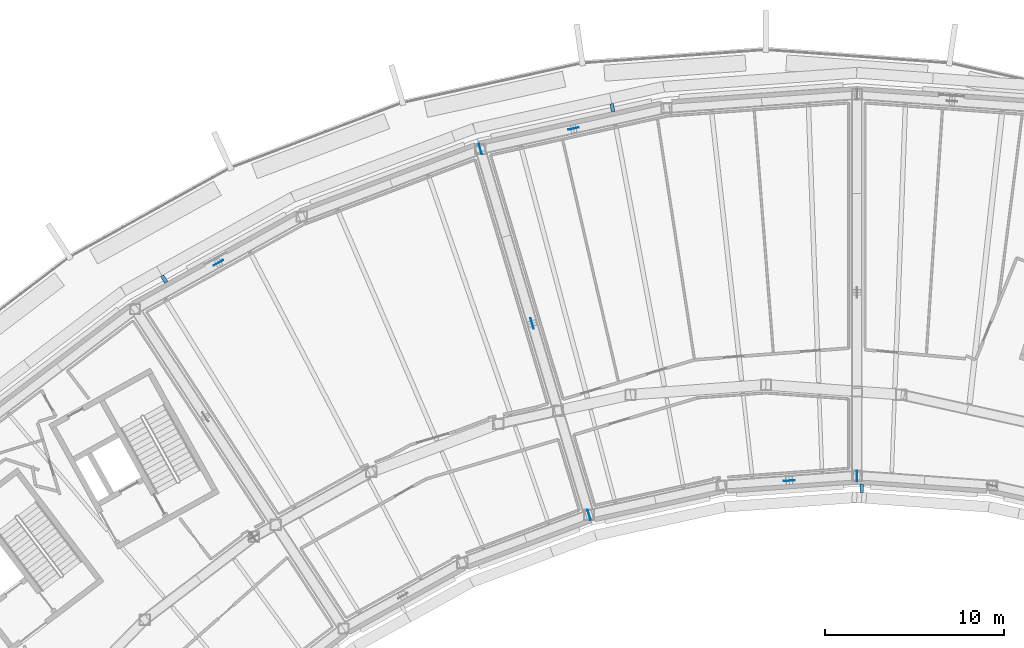
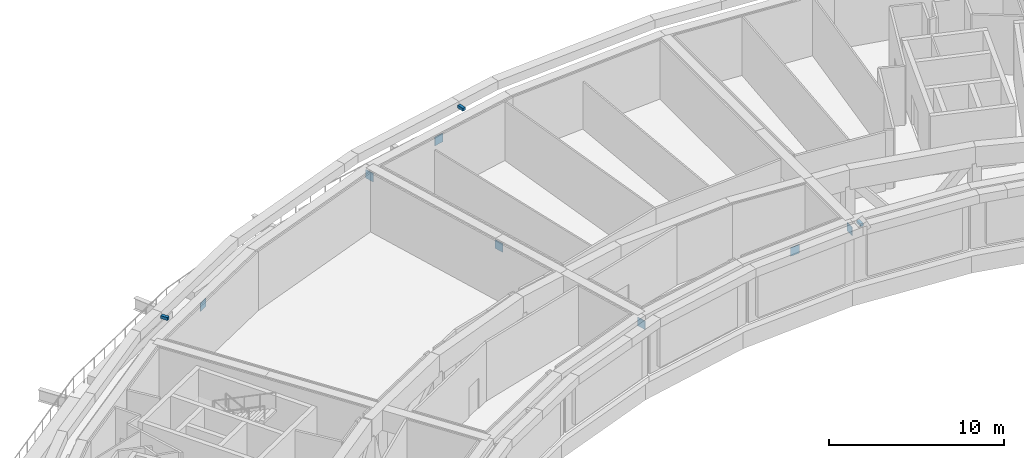
# One storey, part 16 of 24: 10 discrete accessories.
"""IFC4 building model written with IfcOpenShell, lengths in metres."""

from ifc_helpers import new_model, si_unit, direction, frame, origin, origin_2d, place, context, subcontext, project, spatial, rectangle, extrude, material, type_object, element, save


model = new_model("IFC4")

# Units and contexts
model_context = context("Model", 3, precision=1e-05, world=origin(), true_north=direction((0.0, 1.0)))
body_context = subcontext(model_context, "Body", "Model", "MODEL_VIEW")
ifc_project = project(units=[si_unit("LENGTHUNIT", "METRE"), si_unit("AREAUNIT", "SQUARE_METRE"), si_unit("VOLUMEUNIT", "CUBIC_METRE"), si_unit("PLANEANGLEUNIT", "RADIAN"), si_unit("MASSUNIT", "GRAM", prefix="KILO")], contexts=[model_context])

# Site, building, storey
site_placement = place(None, origin())
site = spatial("IfcSite", under=ifc_project, at=site_placement, CompositionType="ELEMENT")
building_placement = place(site_placement, origin())
building = spatial("IfcBuilding", under=site, at=building_placement, Name="Tuul Gate Civic Tower", CompositionType="ELEMENT")
storey_placement = place(building_placement, frame((0.0, 0.0, 243.89990234375)))
storey = spatial("IfcBuildingStorey", under=building, at=storey_placement, Name="Plant and refuge floor 6", CompositionType="ELEMENT", Elevation=243.89990234375)

# Discrete accessories
ifc_material_1 = material(Name="Steel S355", Category="steel")
discrete_accessory_type_1 = type_object("IfcDiscreteAccessoryType", Name="Gusset plate", PredefinedType="BRACKET", material=ifc_material_1)
for number, where, z_axis, x_axis, name in (
    (1, (-3.955078125, -10.0654296875, 3.103515625), (0.0, 0.0, 1.0), (-0.285212112775, 0.958464423297, 0.0), "Gusset plate"),
    (2, (-10.044677734375, 10.407470703125, 3.103271484375), (0.0, 0.0, 1.0), (0.285212112775, -0.958464423297, 0.0), "Gusset plate"),
    (3, (-7.14208984375, 0.64599609375, 3.103271484375), (0.0, 0.0, 1.0), (-0.285212112775, 0.958464423297, 0.0), "Gusset plate"),
    (4, (11.029296875, -7.8837890625, 3.103759765625), (0.0, 0.0, 1.0), (0.0, 1.0, 0.0), "Gusset plate"),
    (5, (-4.83251953125, 11.553955078125, 3.103271484375), (0.0, 0.0, 1.0), (0.976564607871, 0.215224456448, 0.0), "Gusset plate"),
    (6, (-24.701904296875, 4.0400390625, 3.103271484375), (0.0, 0.0, 1.0), (0.87462518169, 0.484799743765, 0.0), "Gusset plate"),
    (7, (7.2451171875, -8.156005859375, 3.103759765625), (0.0, 0.0, 1.0), (-0.997391397567, -0.072183100928, 0.0), "Gusset plate"),
):
    element("IfcDiscreteAccessory", number, at=place(storey_placement, frame(where, z_axis=z_axis, x_axis=x_axis)), inside=storey, type_object=discrete_accessory_type_1, Name=name, PredefinedType="BRACKET", context=body_context, shape_type="SweptSolid", body=[
        extrude(rectangle(XDim=0.60009765625, YDim=0.030029296875, at=origin_2d()), origin(), (0.0, 0.0, 1.0), 0.60009765625),
    ])
ifc_material_2 = material(Name="Stainless steel", Category="steel")
discrete_accessory_type_2 = type_object("IfcDiscreteAccessoryType", Name="Screen bracket", PredefinedType="BRACKET", material=ifc_material_2)
discrete_accessory_1_placement = place(storey_placement, frame((-2.651611328125, 12.725341796875, 4.05029296875), z_axis=(0.0, 0.0, 1.0), x_axis=(-0.183860425898, 0.982952360895, 0.0)))
element("IfcDiscreteAccessory", 8, at=discrete_accessory_1_placement, inside=storey, type_object=discrete_accessory_type_2, Name="Screen bracket 10", PredefinedType="BRACKET", context=body_context, shape_type="SweptSolid", body=[
    extrude(rectangle(XDim=0.4501953125, YDim=0.199951171875, at=origin_2d()), origin(), (0.0, 0.0, 1.0), 0.199951171875),
])
discrete_accessory_2_placement = place(storey_placement, frame((-27.73583984375, 3.12939453125, 4.05029296875), z_axis=(0.0, 0.0, 1.0), x_axis=(-0.520723574975, 0.853725341351, 0.0)))
element("IfcDiscreteAccessory", 9, at=discrete_accessory_2_placement, inside=storey, type_object=discrete_accessory_type_2, Name="Screen bracket 13", PredefinedType="BRACKET", context=body_context, shape_type="SweptSolid", body=[
    extrude(rectangle(XDim=0.450439453125, YDim=0.199951171875, at=origin_2d()), origin(), (0.0, 0.0, 1.0), 0.199951171875),
])
discrete_accessory_3_placement = place(storey_placement, frame((11.296142578125, -8.577880859375, 4.05029296875), z_axis=(0.0, 0.0, 1.0), x_axis=(-0.005112047113, -0.999986933402, 0.0)))
element("IfcDiscreteAccessory", 10, at=discrete_accessory_3_placement, inside=storey, type_object=discrete_accessory_type_2, Name="Screen bracket 25", PredefinedType="BRACKET", context=body_context, shape_type="SweptSolid", body=[
    extrude(rectangle(XDim=0.450927734375, YDim=0.199951171875, at=origin_2d()), origin(), (0.0, 0.0, 1.0), 0.199951171875),
])

save(model, "model.ifc")
